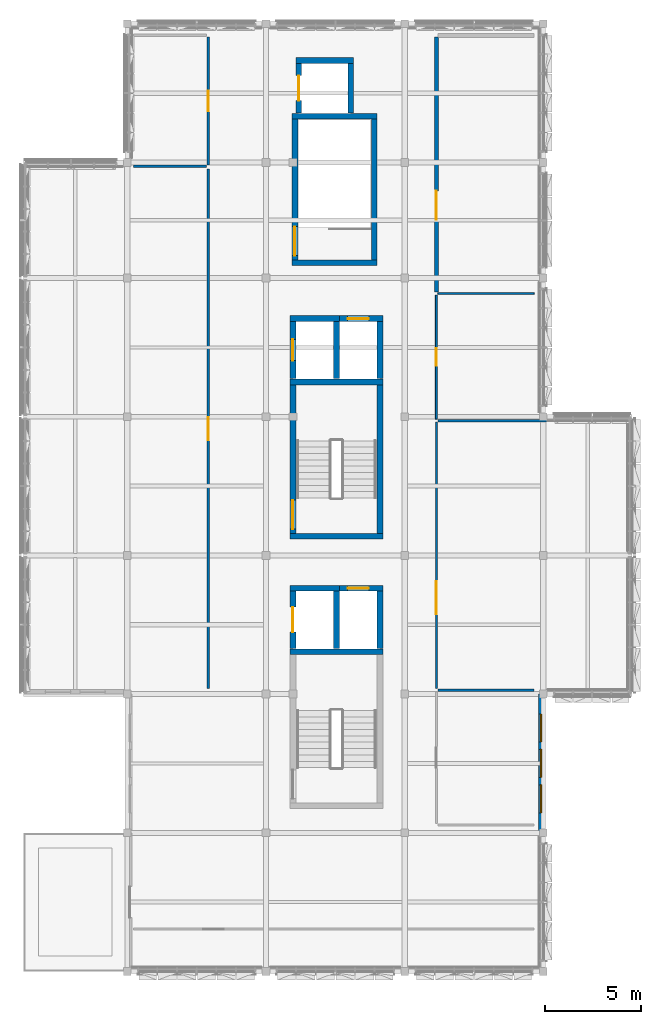
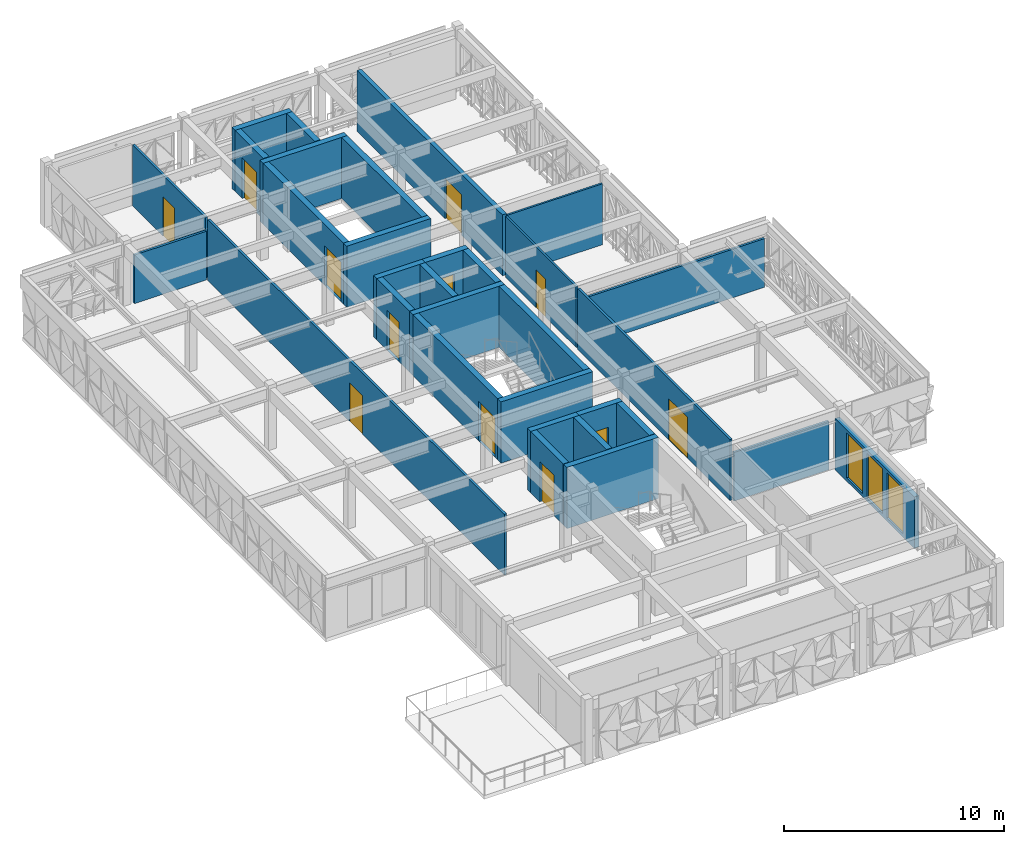
# One storey, part 16 of 25: 32 walls, 12 doors, 3 windows, 15 openings.
"""IFC4 building model written with IfcOpenShell, lengths in metres."""

from ifc_helpers import new_model, si_unit, direction, frame, frame_2d, origin, place, context, subcontext, project, spatial, rectangle, extrude, material, layer, layer_set, type_object, element, fill, save


model = new_model("IFC4")

# Units and contexts
model_context = context("Model", 3, precision=1e-05, world=origin(), true_north=direction((0.0, 1.0)))
body_context = subcontext(model_context, "Body", "Model", "MODEL_VIEW")
ifc_project = project(units=[si_unit("LENGTHUNIT", "METRE"), si_unit("AREAUNIT", "SQUARE_METRE"), si_unit("VOLUMEUNIT", "CUBIC_METRE"), si_unit("PLANEANGLEUNIT", "RADIAN"), si_unit("MASSUNIT", "GRAM", prefix="KILO")], contexts=[model_context])

# Site, building, storey
site_placement = place(None, origin())
site = spatial("IfcSite", under=ifc_project, at=site_placement, CompositionType="ELEMENT")
building_placement = place(site_placement, origin())
building = spatial("IfcBuilding", under=site, at=building_placement, Name="Alvorim Cloister Faculty of Sciences", CompositionType="ELEMENT")
storey_placement = place(building_placement, frame((0.0, 0.0, 29.699951171875)))
storey = spatial("IfcBuildingStorey", under=building, at=storey_placement, Name="L08", CompositionType="ELEMENT", Elevation=29.699951171875)

# Wall, openings, windows
ifc_material_1 = material(Name="Cross-Laminated Timber CLT C24", Category="wood")
ifc_layer_1 = layer(ifc_material_1, 0.239990234375)
ifc_layer_set_1 = layer_set([ifc_layer_1], Name="Cross-Laminated Timber CLT C24")
wall_type_1 = type_object("IfcWallType", Name="WL-EXT-TMB-240", PredefinedType="SOLIDWALL", material=ifc_layer_set_1)
wall_1_placement = place(storey_placement, frame((28.679931640625, 14.39990234375, 0.0), z_axis=(0.0, 0.0, 1.0), x_axis=(0.0, 1.0, 0.0)))
wall_1 = element("IfcWall", 1, at=wall_1_placement, inside=storey, type_object=wall_type_1, Name="L08 Exterior Wall WL-0247", PredefinedType="SOLIDWALL", context=body_context, shape_type="SweptSolid", body=[
    extrude(rectangle(XDim=7.2001953125, YDim=0.239990234375, at=frame_2d((3.60009765625, 0.0))), origin(), (0.0, 0.0, 1.0), 2.85009765625),
])
opening_1_placement = place(wall_1_placement, frame((1.03759765625, 0.0, 0.179931640625)))
opening_1 = element("IfcOpeningElement", 2, at=opening_1_placement, cuts=wall_1, Name="Opening W-17", PredefinedType="OPENING", context=body_context, shape_type="SweptSolid", body=[
    extrude(rectangle(XDim=1.449951171875, YDim=2.5, at=frame_2d((0.72509765625, 1.25))), frame((0.0, 0.1318359375, 0.0), z_axis=(0.0, -1.0, 0.0), x_axis=(1.0, 0.0, 0.0)), (0.0, 0.0, 1.0), 0.263916015625),
])
opening_2_placement = place(wall_1_placement, frame((2.875, 0.0, 0.179931640625)))
opening_2 = element("IfcOpeningElement", 3, at=opening_2_placement, cuts=wall_1, Name="Opening W-17", PredefinedType="OPENING", context=body_context, shape_type="SweptSolid", body=[
    extrude(rectangle(XDim=1.449951171875, YDim=2.5, at=frame_2d((0.72509765625, 1.25))), frame((0.0, 0.1318359375, 0.0), z_axis=(0.0, -1.0, 0.0), x_axis=(1.0, 0.0, 0.0)), (0.0, 0.0, 1.0), 0.263916015625),
])
opening_3_placement = place(wall_1_placement, frame((4.71240234375, 0.0, 0.179931640625)))
opening_3 = element("IfcOpeningElement", 4, at=opening_3_placement, cuts=wall_1, Name="Opening W-17", PredefinedType="OPENING", context=body_context, shape_type="SweptSolid", body=[
    extrude(rectangle(XDim=1.449951171875, YDim=2.5, at=frame_2d((0.72509765625, 1.25))), frame((0.0, 0.1318359375, 0.0), z_axis=(0.0, -1.0, 0.0), x_axis=(1.0, 0.0, 0.0)), (0.0, 0.0, 1.0), 0.263916015625),
])
ifc_material_2 = material(Name="Double Low-E Laminated Glass", Category="glass")
window_type = type_object("IfcWindowType", Name="WN-LAB-1450x2500", PartitioningType="SINGLE_PANEL", PredefinedType="WINDOW", material=ifc_material_2)
window_1_placement = place(opening_1_placement, origin())
window_1 = element("IfcWindow", 5, at=window_1_placement, inside=storey, type_object=window_type, Name="L08 Full-Height Entrance Atrium Glazed Bay WN-0266", OverallHeight=2.5, OverallWidth=1.449951171875, PartitioningType="SINGLE_PANEL", PredefinedType="WINDOW", context=body_context, shape_type="SweptSolid", body=[
    extrude(rectangle(XDim=1.449951171875, YDim=2.5, at=frame_2d((0.72509765625, 1.25))), frame((0.0, 0.030029296875, 0.0), z_axis=(0.0, -1.0, 0.0), x_axis=(1.0, 0.0, 0.0)), (0.0, 0.0, 1.0), 0.06005859375),
])
fill(opening_1, window_1)
window_2_placement = place(opening_2_placement, origin())
window_2 = element("IfcWindow", 6, at=window_2_placement, inside=storey, type_object=window_type, Name="L08 Full-Height Entrance Atrium Glazed Bay WN-0267", OverallHeight=2.5, OverallWidth=1.449951171875, PartitioningType="SINGLE_PANEL", PredefinedType="WINDOW", context=body_context, shape_type="SweptSolid", body=[
    extrude(rectangle(XDim=1.449951171875, YDim=2.5, at=frame_2d((0.72509765625, 1.25))), frame((0.0, 0.030029296875, 0.0), z_axis=(0.0, -1.0, 0.0), x_axis=(1.0, 0.0, 0.0)), (0.0, 0.0, 1.0), 0.06005859375),
])
fill(opening_2, window_2)
window_3_placement = place(opening_3_placement, origin())
window_3 = element("IfcWindow", 7, at=window_3_placement, inside=storey, type_object=window_type, Name="L08 Full-Height Entrance Atrium Glazed Bay WN-0268", OverallHeight=2.5, OverallWidth=1.449951171875, PartitioningType="SINGLE_PANEL", PredefinedType="WINDOW", context=body_context, shape_type="SweptSolid", body=[
    extrude(rectangle(XDim=1.449951171875, YDim=2.5, at=frame_2d((0.72509765625, 1.25))), frame((0.0, 0.030029296875, 0.0), z_axis=(0.0, -1.0, 0.0), x_axis=(1.0, 0.0, 0.0)), (0.0, 0.0, 1.0), 0.06005859375),
])
fill(opening_3, window_3)

# Wall, opening, door
ifc_material_3 = material(Name="Moisture-Resistant Tile Stud Partition", Category="gypsum")
ifc_layer_2 = layer(ifc_material_3, 0.10009765625)
ifc_layer_set_2 = layer_set([ifc_layer_2], Name="Moisture-Resistant Tile Stud Partition")
wall_type_2 = type_object("IfcWallType", Name="WL-PRT-100", PredefinedType="PARTITIONING", material=ifc_layer_set_2)
wall_2_placement = place(storey_placement, frame((23.25, 35.8798828125, 0.0), z_axis=(0.0, 0.0, 1.0), x_axis=(0.0, 1.0, 0.0)))
wall_2 = element("IfcWall", 8, at=wall_2_placement, inside=storey, type_object=wall_type_2, Name="L08 L08 Crown Accessible WCs Partition IWL-0713", PredefinedType="PARTITIONING", context=body_context, shape_type="SweptSolid", body=[
    extrude(rectangle(XDim=6.440185546875, YDim=0.10009765625, at=frame_2d((3.22021484375, 0.0))), origin(), (0.0, 0.0, 1.0), 3.385009765625),
])
opening_4_placement = place(wall_2_placement, frame((2.77001953125, 0.0, 0.0)))
opening_4 = element("IfcOpeningElement", 9, at=opening_4_placement, cuts=wall_2, Name="Opening D-L08-218", PredefinedType="OPENING", context=body_context, shape_type="SweptSolid", body=[
    extrude(rectangle(XDim=0.89990234375, YDim=2.10009765625, at=frame_2d((0.449951171875, 1.050048828125))), frame((0.0, 0.06201171875, 0.0), z_axis=(0.0, -1.0, 0.0), x_axis=(1.0, 0.0, 0.0)), (0.0, 0.0, 1.0), 0.1240234375),
])
ifc_material_4 = material(Name="Moisture-Resistant Laminate Timber", Category="wood")
door_type_1 = type_object("IfcDoorType", Name="DR-WC-900x2100", OperationType="NOTDEFINED", PredefinedType="DOOR", material=ifc_material_4)
door_1_placement = place(opening_4_placement, origin())
door_1 = element("IfcDoor", 10, at=door_1_placement, inside=storey, type_object=door_type_1, Name="L08 Crown Accessible WCs Door D-L08-218", OperationType="SINGLE_SWING_LEFT", OverallHeight=2.10009765625, OverallWidth=0.89990234375, PredefinedType="DOOR", context=body_context, shape_type="SweptSolid", body=[
    extrude(rectangle(XDim=0.89990234375, YDim=2.10009765625, at=frame_2d((0.449951171875, 1.050048828125))), frame((0.0, 0.02490234375, 0.0), z_axis=(0.0, -1.0, 0.0), x_axis=(1.0, 0.0, 0.0)), (0.0, 0.0, 1.0), 0.050048828125),
])
fill(opening_4, door_1)

# Walls
wall_3_placement = place(storey_placement, frame((23.330078125, 42.39990234375, 0.0), z_axis=(0.0, 0.0, 1.0), x_axis=(1.0, 0.0, 0.0)))
element("IfcWall", 11, at=wall_3_placement, inside=storey, type_object=wall_type_2, Name="L08 L08 Crown Accessible WCs Partition IWL-0714", PredefinedType="PARTITIONING", context=body_context, shape_type="SweptSolid", body=[
    extrude(rectangle(XDim=4.989990234375, YDim=0.10009765625, at=frame_2d((2.4951171875, 0.0))), origin(), (0.0, 0.0, 1.0), 3.385009765625),
])
ifc_material_5 = material(Name="Acoustic Gypsum Stud Partition", Category="gypsum")
ifc_layer_3 = layer(ifc_material_5, 0.1201171875)
ifc_layer_set_3 = layer_set([ifc_layer_3], Name="Acoustic Gypsum Stud Partition")
wall_type_3 = type_object("IfcWallType", Name="WL-PRT-120", PredefinedType="PARTITIONING", material=ifc_layer_set_3)
wall_4_placement = place(storey_placement, frame((7.530029296875, 49.0, 0.0), z_axis=(0.0, 0.0, 1.0), x_axis=(1.0, 0.0, 0.0)))
element("IfcWall", 12, at=wall_4_placement, inside=storey, type_object=wall_type_3, Name="L08 Crown Research Directors Suite Partition IWL-0703", PredefinedType="PARTITIONING", context=body_context, shape_type="SweptSolid", body=[
    extrude(rectangle(XDim=3.7900390625, YDim=0.1201171875, at=frame_2d((1.89501953125, 0.0))), origin(), (0.0, 0.0, 1.0), 2.700927734375),
])

# Wall, opening, door
wall_5_placement = place(storey_placement, frame((11.39990234375, 49.080078125, 0.0), z_axis=(0.0, 0.0, 1.0), x_axis=(0.0, 1.0, 0.0)))
wall_5 = element("IfcWall", 13, at=wall_5_placement, inside=storey, type_object=wall_type_3, Name="L08 Crown Research Directors Suite Partition IWL-0704", PredefinedType="PARTITIONING", context=body_context, shape_type="SweptSolid", body=[
    extrude(rectangle(XDim=6.639892578125, YDim=0.1201171875, at=frame_2d((3.31982421875, 0.0))), origin(), (0.0, 0.0, 1.0), 3.385009765625),
])
opening_5_placement = place(wall_5_placement, frame((2.794921875, 0.0, 0.0)))
opening_5 = element("IfcOpeningElement", 14, at=opening_5_placement, cuts=wall_5, Name="Opening D-L08-213", PredefinedType="OPENING", context=body_context, shape_type="SweptSolid", body=[
    extrude(rectangle(XDim=1.050048828125, YDim=2.179931640625, at=frame_2d((0.52490234375, 1.08984375))), frame((0.0, 0.072021484375, 0.0), z_axis=(0.0, -1.0, 0.0), x_axis=(1.0, 0.0, 0.0)), (0.0, 0.0, 1.0), 0.14404296875),
])
ifc_material_6 = material(Name="Solid Acoustic Oak Timber", Category="wood")
door_type_2 = type_object("IfcDoorType", Name="DR-OFF-1050x2180", OperationType="NOTDEFINED", PredefinedType="DOOR", material=ifc_material_6)
door_2_placement = place(opening_5_placement, origin())
door_2 = element("IfcDoor", 15, at=door_2_placement, inside=storey, type_object=door_type_2, Name="Crown Research Directors Suite Door D-L08-213", OperationType="SINGLE_SWING_LEFT", OverallHeight=2.179931640625, OverallWidth=1.050048828125, PredefinedType="DOOR", context=body_context, shape_type="SweptSolid", body=[
    extrude(rectangle(XDim=1.050048828125, YDim=2.179931640625, at=frame_2d((0.52490234375, 1.08984375))), frame((0.0, 0.02490234375, 0.0), z_axis=(0.0, -1.0, 0.0), x_axis=(1.0, 0.0, 0.0)), (0.0, 0.0, 1.0), 0.050048828125),
])
fill(opening_5, door_2)

wall_6_placement = place(storey_placement, frame((11.39990234375, 21.8798828125, 0.0), z_axis=(0.0, 0.0, 1.0), x_axis=(0.0, 1.0, 0.0)))
wall_6 = element("IfcWall", 16, at=wall_6_placement, inside=storey, type_object=wall_type_3, Name="L08 Cantilevered Faculty Senate and Colloquium Hall Partition IWL-0707", PredefinedType="PARTITIONING", context=body_context, shape_type="SweptSolid", body=[
    extrude(rectangle(XDim=26.990234375, YDim=0.1201171875, at=frame_2d((13.4951171875, 0.0))), origin(), (0.0, 0.0, 1.0), 3.385009765625),
])
opening_6_placement = place(wall_6_placement, frame((12.89501953125, 0.0, 0.0)))
opening_6 = element("IfcOpeningElement", 17, at=opening_6_placement, cuts=wall_6, Name="Opening D-L08-215", PredefinedType="OPENING", context=body_context, shape_type="SweptSolid", body=[
    extrude(rectangle(XDim=1.199951171875, YDim=2.14990234375, at=frame_2d((0.60009765625, 1.074951171875))), frame((0.0, 0.072021484375, 0.0), z_axis=(0.0, -1.0, 0.0), x_axis=(1.0, 0.0, 0.0)), (0.0, 0.0, 1.0), 0.14404296875),
])
door_type_3 = type_object("IfcDoorType", Name="DR-SEM-1200x2150", OperationType="NOTDEFINED", PredefinedType="DOOR", material=ifc_material_6)
door_3_placement = place(opening_6_placement, origin())
door_3 = element("IfcDoor", 18, at=door_3_placement, inside=storey, type_object=door_type_3, Name="Cantilevered Faculty Senate and Colloquium Hall Door D-L08-215", OperationType="SINGLE_SWING_LEFT", OverallHeight=2.14990234375, OverallWidth=1.199951171875, PredefinedType="DOOR", context=body_context, shape_type="SweptSolid", body=[
    extrude(rectangle(XDim=1.199951171875, YDim=2.14990234375, at=frame_2d((0.60009765625, 1.074951171875))), frame((0.0, 0.02490234375, 0.0), z_axis=(0.0, -1.0, 0.0), x_axis=(1.0, 0.0, 0.0)), (0.0, 0.0, 1.0), 0.050048828125),
])
fill(opening_6, door_3)

# Wall
wall_7_placement = place(storey_placement, frame((23.330078125, 21.800048828125, 0.0), z_axis=(0.0, 0.0, 1.0), x_axis=(1.0, 0.0, 0.0)))
element("IfcWall", 19, at=wall_7_placement, inside=storey, type_object=wall_type_3, Name="L08 Atrium East Council Chamber Partition IWL-0710", PredefinedType="PARTITIONING", context=body_context, shape_type="SweptSolid", body=[
    extrude(rectangle(XDim=4.989990234375, YDim=0.1201171875, at=frame_2d((2.4951171875, 0.0))), origin(), (0.0, 0.0, 1.0), 2.700927734375),
])

# Wall, opening, door
wall_8_placement = place(storey_placement, frame((23.25, 21.8798828125, 0.0), z_axis=(0.0, 0.0, 1.0), x_axis=(0.0, 1.0, 0.0)))
wall_8 = element("IfcWall", 20, at=wall_8_placement, inside=storey, type_object=wall_type_3, Name="L08 East Cantilevered Visiting Scholars Sky Salon Partition IWL-0711", PredefinedType="PARTITIONING", context=body_context, shape_type="SweptSolid", body=[
    extrude(rectangle(XDim=13.840087890625, YDim=0.1201171875, at=frame_2d((6.919921875, 0.0))), origin(), (0.0, 0.0, 1.0), 3.385009765625),
])
opening_7_placement = place(wall_8_placement, frame((3.876220703125, 0.0, 0.0)))
opening_7 = element("IfcOpeningElement", 21, at=opening_7_placement, cuts=wall_8, Name="Opening D-L08-217", PredefinedType="OPENING", context=body_context, shape_type="SweptSolid", body=[
    extrude(rectangle(XDim=1.699951171875, YDim=2.280029296875, at=frame_2d((0.85009765625, 1.14013671875))), frame((0.0, 0.072021484375, 0.0), z_axis=(0.0, -1.0, 0.0), x_axis=(1.0, 0.0, 0.0)), (0.0, 0.0, 1.0), 0.14404296875),
])
door_type_4 = type_object("IfcDoorType", Name="DR-HALL-1700x2280", OperationType="NOTDEFINED", PredefinedType="DOOR", material=ifc_material_6)
door_4_placement = place(opening_7_placement, origin())
door_4 = element("IfcDoor", 22, at=door_4_placement, inside=storey, type_object=door_type_4, Name="East Cantilevered Visiting Scholars Sky Salon Door D-L08-217", OperationType="DOUBLE_DOOR_SINGLE_SWING", OverallHeight=2.280029296875, OverallWidth=1.699951171875, PredefinedType="DOOR", context=body_context, shape_type="SweptSolid", body=[
    extrude(rectangle(XDim=1.699951171875, YDim=2.280029296875, at=frame_2d((0.85009765625, 1.14013671875))), frame((0.0, 0.02490234375, 0.0), z_axis=(0.0, -1.0, 0.0), x_axis=(1.0, 0.0, 0.0)), (0.0, 0.0, 1.0), 0.050048828125),
])
fill(opening_7, door_4)

# Wall
wall_9_placement = place(storey_placement, frame((23.330078125, 35.800048828125, 0.0), z_axis=(0.0, 0.0, 1.0), x_axis=(1.0, 0.0, 0.0)))
element("IfcWall", 23, at=wall_9_placement, inside=storey, type_object=wall_type_3, Name="L08 East Cantilevered Visiting Scholars Sky Salon Partition IWL-0712", PredefinedType="PARTITIONING", context=body_context, shape_type="SweptSolid", body=[
    extrude(rectangle(XDim=9.68994140625, YDim=0.1201171875, at=frame_2d((4.844970703125, 0.0))), origin(), (0.0, 0.0, 1.0), 2.700927734375),
])

# Wall, opening, door
ifc_material_7 = material(Name="Autoclaved Aerated Concrete Blockwork", Category="masonry")
ifc_layer_4 = layer(ifc_material_7, 0.219970703125)
ifc_layer_set_4 = layer_set([ifc_layer_4], Name="Autoclaved Aerated Concrete Blockwork")
wall_type_4 = type_object("IfcWallType", Name="WL-PRT-220", PredefinedType="PARTITIONING", material=ifc_layer_set_4)
wall_10_placement = place(storey_placement, frame((23.25, 42.47998046875, 0.0), z_axis=(0.0, 0.0, 1.0), x_axis=(0.0, 1.0, 0.0)))
wall_10 = element("IfcWall", 24, at=wall_10_placement, inside=storey, type_object=wall_type_4, Name="L08 Crown Heat-Recovery and Solar Inverter Room Partition IWL-0715", PredefinedType="PARTITIONING", context=body_context, shape_type="SweptSolid", body=[
    extrude(rectangle(XDim=13.239990234375, YDim=0.219970703125, at=frame_2d((6.6201171875, 0.0))), origin(), (0.0, 0.0, 1.0), 3.385009765625),
])
opening_8_placement = place(wall_10_placement, frame((3.751220703125, 0.0, 0.0)))
opening_8 = element("IfcOpeningElement", 25, at=opening_8_placement, cuts=wall_10, Name="Opening D-L08-219", PredefinedType="OPENING", context=body_context, shape_type="SweptSolid", body=[
    extrude(rectangle(XDim=1.5, YDim=2.25, at=frame_2d((0.75, 1.125))), frame((0.0, 0.1220703125, 0.0), z_axis=(0.0, -1.0, 0.0), x_axis=(1.0, 0.0, 0.0)), (0.0, 0.0, 1.0), 0.243896484375),
])
ifc_material_8 = material(Name="Galvanised Fire-Rated Steel", Category="steel")
door_type_5 = type_object("IfcDoorType", Name="DR-PLN-1500x2250", OperationType="NOTDEFINED", PredefinedType="DOOR", material=ifc_material_8)
door_5_placement = place(opening_8_placement, origin())
door_5 = element("IfcDoor", 26, at=door_5_placement, inside=storey, type_object=door_type_5, Name="Crown Heat-Recovery and Solar Inverter Room Door D-L08-219", OperationType="DOUBLE_DOOR_SINGLE_SWING", OverallHeight=2.25, OverallWidth=1.5, PredefinedType="DOOR", context=body_context, shape_type="SweptSolid", body=[
    extrude(rectangle(XDim=1.5, YDim=2.25, at=frame_2d((0.75, 1.125))), frame((0.0, 0.02490234375, 0.0), z_axis=(0.0, -1.0, 0.0), x_axis=(1.0, 0.0, 0.0)), (0.0, 0.0, 1.0), 0.050048828125),
])
fill(opening_8, door_5)

# Walls
ifc_material_9 = material(Name="Concrete C40", Category="concrete")
ifc_layer_5 = layer(ifc_material_9, 0.300048828125)
ifc_layer_set_5 = layer_set([ifc_layer_5], Name="Concrete C40")
wall_type_5 = type_object("IfcWallType", Name="WL-SHR-300", PredefinedType="SHEAR", material=ifc_layer_set_5)
for number, where, z_axis, x_axis, name in (
    (27, (15.64990234375, 23.800048828125, 0.0), (0.0, 0.0, 1.0), (1.0, 0.0, 0.0), "L08 CORE K1 Shear Wall IWL-0038"),
    (28, (15.64990234375, 29.800048828125, 0.0), (0.0, 0.0, 1.0), (1.0, 0.0, 0.0), "L08 CORE K2 Shear Wall IWL-0081"),
    (29, (15.64990234375, 37.800048828125, 0.0), (0.0, 0.0, 1.0), (1.0, 0.0, 0.0), "L08 CORE K2 Shear Wall IWL-0082"),
):
    element("IfcWall", number, at=place(storey_placement, frame(where, z_axis=z_axis, x_axis=x_axis)), inside=storey, type_object=wall_type_5, Name=name, PredefinedType="SHEAR", context=body_context, shape_type="SweptSolid", body=[
        extrude(rectangle(XDim=4.820068359375, YDim=0.300048828125, at=frame_2d((2.41015625, 0.0))), origin(), (0.0, 0.0, 1.0), 3.400146484375),
    ])

# Wall, opening, door
wall_11_placement = place(storey_placement, frame((15.800048828125, 29.949951171875, 0.0), z_axis=(0.0, 0.0, 1.0), x_axis=(0.0, 1.0, 0.0)))
wall_11 = element("IfcWall", 30, at=wall_11_placement, inside=storey, type_object=wall_type_5, Name="L08 CORE K2 Shear Wall IWL-0083", PredefinedType="SHEAR", context=body_context, shape_type="SweptSolid", body=[
    extrude(rectangle(XDim=7.699951171875, YDim=0.300048828125, at=frame_2d((3.85009765625, 0.0))), origin(), (0.0, 0.0, 1.0), 3.400146484375),
])
opening_9_placement = place(wall_11_placement, frame((0.219970703125, 0.0, 0.0)))
opening_9 = element("IfcOpeningElement", 31, at=opening_9_placement, cuts=wall_11, Name="Opening SD-K2-L08", PredefinedType="OPENING", context=body_context, shape_type="SweptSolid", body=[
    extrude(rectangle(XDim=1.5, YDim=2.199951171875, at=frame_2d((0.75, 1.10009765625))), frame((0.0, 0.162109375, 0.0), z_axis=(0.0, -1.0, 0.0), x_axis=(1.0, 0.0, 0.0)), (0.0, 0.0, 1.0), 0.323974609375),
])
door_type_6 = type_object("IfcDoorType", Name="DR-STR-1500x2200", OperationType="NOTDEFINED", PredefinedType="DOOR", material=ifc_material_8)
door_6_placement = place(opening_9_placement, origin())
door_6 = element("IfcDoor", 32, at=door_6_placement, inside=storey, type_object=door_type_6, Name="L08 Stair ST-02 Fire Door SD-K2-L08", OperationType="DOUBLE_DOOR_SINGLE_SWING", OverallHeight=2.199951171875, OverallWidth=1.5, PredefinedType="DOOR", context=body_context, shape_type="SweptSolid", body=[
    extrude(rectangle(XDim=1.5, YDim=2.199951171875, at=frame_2d((0.75, 1.10009765625))), frame((0.0, 0.02490234375, 0.0), z_axis=(0.0, -1.0, 0.0), x_axis=(1.0, 0.0, 0.0)), (0.0, 0.0, 1.0), 0.050048828125),
])
fill(opening_9, door_6)

# Walls
wall_12_placement = place(storey_placement, frame((20.320068359375, 29.949951171875, 0.0), z_axis=(0.0, 0.0, 1.0), x_axis=(0.0, 1.0, 0.0)))
element("IfcWall", 33, at=wall_12_placement, inside=storey, type_object=wall_type_5, Name="L08 CORE K2 Shear Wall IWL-0084", PredefinedType="SHEAR", context=body_context, shape_type="SweptSolid", body=[
    extrude(rectangle(XDim=7.699951171875, YDim=0.300048828125, at=frame_2d((3.85009765625, 0.0))), origin(), (0.0, 0.0, 1.0), 3.400146484375),
])
for number, where, z_axis, x_axis, name in (
    (34, (15.75, 44.0, 0.0), (0.0, 0.0, 1.0), (1.0, 0.0, 0.0), "L08 CORE K3 Shear Wall IWL-0125"),
    (35, (15.75, 51.60009765625, 0.0), (0.0, 0.0, 1.0), (1.0, 0.0, 0.0), "L08 CORE K3 Shear Wall IWL-0126"),
):
    element("IfcWall", number, at=place(storey_placement, frame(where, z_axis=z_axis, x_axis=x_axis)), inside=storey, type_object=wall_type_5, Name=name, PredefinedType="SHEAR", context=body_context, shape_type="SweptSolid", body=[
        extrude(rectangle(XDim=4.419921875, YDim=0.300048828125, at=frame_2d((2.2099609375, 0.0))), origin(), (0.0, 0.0, 1.0), 3.400146484375),
    ])

# Wall, opening, door
wall_13_placement = place(storey_placement, frame((15.89990234375, 44.14990234375, 0.0), z_axis=(0.0, 0.0, 1.0), x_axis=(0.0, 1.0, 0.0)))
wall_13 = element("IfcWall", 36, at=wall_13_placement, inside=storey, type_object=wall_type_5, Name="L08 CORE K3 Shear Wall IWL-0127", PredefinedType="SHEAR", context=body_context, shape_type="SweptSolid", body=[
    extrude(rectangle(XDim=7.300048828125, YDim=0.300048828125, at=frame_2d((3.64990234375, 0.0))), origin(), (0.0, 0.0, 1.0), 3.400146484375),
])
opening_10_placement = place(wall_13_placement, frame((0.219970703125, 0.0, 0.0)))
opening_10 = element("IfcOpeningElement", 37, at=opening_10_placement, cuts=wall_13, Name="Opening SD-K3-L08", PredefinedType="OPENING", context=body_context, shape_type="SweptSolid", body=[
    extrude(rectangle(XDim=1.5, YDim=2.199951171875, at=frame_2d((0.75, 1.10009765625))), frame((0.0, 0.162109375, 0.0), z_axis=(0.0, -1.0, 0.0), x_axis=(1.0, 0.0, 0.0)), (0.0, 0.0, 1.0), 0.323974609375),
])
door_7_placement = place(opening_10_placement, origin())
door_7 = element("IfcDoor", 38, at=door_7_placement, inside=storey, type_object=door_type_6, Name="L08 Stair ST-03 Fire Door SD-K3-L08", OperationType="DOUBLE_DOOR_SINGLE_SWING", OverallHeight=2.199951171875, OverallWidth=1.5, PredefinedType="DOOR", context=body_context, shape_type="SweptSolid", body=[
    extrude(rectangle(XDim=1.5, YDim=2.199951171875, at=frame_2d((0.75, 1.10009765625))), frame((0.0, 0.02490234375, 0.0), z_axis=(0.0, -1.0, 0.0), x_axis=(1.0, 0.0, 0.0)), (0.0, 0.0, 1.0), 0.050048828125),
])
fill(opening_10, door_7)

# Walls
wall_14_placement = place(storey_placement, frame((20.02001953125, 44.14990234375, 0.0), z_axis=(0.0, 0.0, 1.0), x_axis=(0.0, 1.0, 0.0)))
element("IfcWall", 39, at=wall_14_placement, inside=storey, type_object=wall_type_5, Name="L08 CORE K3 Shear Wall IWL-0128", PredefinedType="SHEAR", context=body_context, shape_type="SweptSolid", body=[
    extrude(rectangle(XDim=7.300048828125, YDim=0.300048828125, at=frame_2d((3.64990234375, 0.0))), origin(), (0.0, 0.0, 1.0), 3.400146484375),
])
wall_15_placement = place(storey_placement, frame((15.64990234375, 27.10009765625, 0.0), z_axis=(0.0, 0.0, 1.0), x_axis=(1.0, 0.0, 0.0)))
element("IfcWall", 40, at=wall_15_placement, inside=storey, type_object=wall_type_5, Name="L08 Lift LF-01 Shaft Wall IWL-0260", PredefinedType="SHEAR", context=body_context, shape_type="SweptSolid", body=[
    extrude(rectangle(XDim=2.56005859375, YDim=0.300048828125, at=frame_2d((1.280029296875, 0.0))), origin(), (0.0, 0.0, 1.0), 3.400146484375),
])

# Wall, opening, door
wall_16_placement = place(storey_placement, frame((15.800048828125, 23.97998046875, 0.0), z_axis=(0.0, 0.0, 1.0), x_axis=(0.0, 1.0, 0.0)))
wall_16 = element("IfcWall", 41, at=wall_16_placement, inside=storey, type_object=wall_type_5, Name="L08 Lift LF-01 Shaft Wall IWL-0261", PredefinedType="SHEAR", context=body_context, shape_type="SweptSolid", body=[
    extrude(rectangle(XDim=2.969970703125, YDim=0.300048828125, at=frame_2d((1.48486328125, 0.0))), origin(), (0.0, 0.0, 1.0), 3.400146484375),
])
opening_11_placement = place(wall_16_placement, frame((0.8349609375, 0.0, 0.0)))
opening_11 = element("IfcOpeningElement", 42, at=opening_11_placement, cuts=wall_16, Name="Opening LD-010", PredefinedType="OPENING", context=body_context, shape_type="SweptSolid", body=[
    extrude(rectangle(XDim=1.300048828125, YDim=2.25, at=frame_2d((0.64990234375, 1.125))), frame((0.0, 0.162109375, 0.0), z_axis=(0.0, -1.0, 0.0), x_axis=(1.0, 0.0, 0.0)), (0.0, 0.0, 1.0), 0.323974609375),
])
ifc_material_10 = material(Name="Brushed Stainless Steel", Category="steel")
door_type_7 = type_object("IfcDoorType", Name="DR-LFT-1300x2250", OperationType="NOTDEFINED", PredefinedType="DOOR", material=ifc_material_10)
door_8_placement = place(opening_11_placement, origin())
door_8 = element("IfcDoor", 43, at=door_8_placement, inside=storey, type_object=door_type_7, Name="L08 Lift LF-01 Sliding Landing Door LD-010", OperationType="DOUBLE_DOOR_SLIDING", OverallHeight=2.25, OverallWidth=1.300048828125, PredefinedType="DOOR", context=body_context, shape_type="SweptSolid", body=[
    extrude(rectangle(XDim=1.300048828125, YDim=2.25, at=frame_2d((0.64990234375, 1.125))), frame((0.0, 0.02490234375, 0.0), z_axis=(0.0, -1.0, 0.0), x_axis=(1.0, 0.0, 0.0)), (0.0, 0.0, 1.0), 0.050048828125),
])
fill(opening_11, door_8)

# Wall
wall_17_placement = place(storey_placement, frame((18.06005859375, 23.97998046875, 0.0), z_axis=(0.0, 0.0, 1.0), x_axis=(0.0, 1.0, 0.0)))
element("IfcWall", 44, at=wall_17_placement, inside=storey, type_object=wall_type_5, Name="L08 Lift LF-01 Shaft Wall IWL-0262", PredefinedType="SHEAR", context=body_context, shape_type="SweptSolid", body=[
    extrude(rectangle(XDim=2.969970703125, YDim=0.300048828125, at=frame_2d((1.48486328125, 0.0))), origin(), (0.0, 0.0, 1.0), 3.400146484375),
])

# Wall, opening, door
wall_18_placement = place(storey_placement, frame((17.909912109375, 27.10009765625, 0.0), z_axis=(0.0, 0.0, 1.0), x_axis=(1.0, 0.0, 0.0)))
wall_18 = element("IfcWall", 45, at=wall_18_placement, inside=storey, type_object=wall_type_5, Name="L08 Lift LP-01 Shaft Wall IWL-0284", PredefinedType="SHEAR", context=body_context, shape_type="SweptSolid", body=[
    extrude(rectangle(XDim=2.56005859375, YDim=0.300048828125, at=frame_2d((1.280029296875, 0.0))), origin(), (0.0, 0.0, 1.0), 3.400146484375),
])
opening_12_placement = place(wall_18_placement, frame((0.72998046875, 0.0, 0.0)))
opening_12 = element("IfcOpeningElement", 46, at=opening_12_placement, cuts=wall_18, Name="Opening LD-021", PredefinedType="OPENING", context=body_context, shape_type="SweptSolid", body=[
    extrude(rectangle(XDim=1.10009765625, YDim=2.199951171875, at=frame_2d((0.550048828125, 1.10009765625))), frame((0.0, 0.162109375, 0.0), z_axis=(0.0, -1.0, 0.0), x_axis=(1.0, 0.0, 0.0)), (0.0, 0.0, 1.0), 0.323974609375),
])
door_type_8 = type_object("IfcDoorType", Name="DR-LFT-1100x2200", OperationType="NOTDEFINED", PredefinedType="DOOR", material=ifc_material_10)
door_9_placement = place(opening_12_placement, origin())
door_9 = element("IfcDoor", 47, at=door_9_placement, inside=storey, type_object=door_type_8, Name="L08 Lift LP-01 Sliding Landing Door LD-021", OperationType="DOUBLE_DOOR_SLIDING", OverallHeight=2.199951171875, OverallWidth=1.10009765625, PredefinedType="DOOR", context=body_context, shape_type="SweptSolid", body=[
    extrude(rectangle(XDim=1.10009765625, YDim=2.199951171875, at=frame_2d((0.550048828125, 1.10009765625))), frame((0.0, 0.02490234375, 0.0), z_axis=(0.0, -1.0, 0.0), x_axis=(1.0, 0.0, 0.0)), (0.0, 0.0, 1.0), 0.050048828125),
])
fill(opening_12, door_9)

# Walls
wall_19_placement = place(storey_placement, frame((20.320068359375, 23.97998046875, 0.0), z_axis=(0.0, 0.0, 1.0), x_axis=(0.0, 1.0, 0.0)))
element("IfcWall", 48, at=wall_19_placement, inside=storey, type_object=wall_type_5, Name="L08 Lift LP-01 Shaft Wall IWL-0285", PredefinedType="SHEAR", context=body_context, shape_type="SweptSolid", body=[
    extrude(rectangle(XDim=2.969970703125, YDim=0.300048828125, at=frame_2d((1.48486328125, 0.0))), origin(), (0.0, 0.0, 1.0), 3.400146484375),
])
wall_20_placement = place(storey_placement, frame((15.64990234375, 41.10009765625, 0.0), z_axis=(0.0, 0.0, 1.0), x_axis=(1.0, 0.0, 0.0)))
element("IfcWall", 49, at=wall_20_placement, inside=storey, type_object=wall_type_5, Name="L08 Lift LP-02 Shaft Wall IWL-0315", PredefinedType="SHEAR", context=body_context, shape_type="SweptSolid", body=[
    extrude(rectangle(XDim=2.56005859375, YDim=0.300048828125, at=frame_2d((1.280029296875, 0.0))), origin(), (0.0, 0.0, 1.0), 3.400146484375),
])

# Wall, opening, door
wall_21_placement = place(storey_placement, frame((15.800048828125, 37.97998046875, 0.0), z_axis=(0.0, 0.0, 1.0), x_axis=(0.0, 1.0, 0.0)))
wall_21 = element("IfcWall", 50, at=wall_21_placement, inside=storey, type_object=wall_type_5, Name="L08 Lift LP-02 Shaft Wall IWL-0316", PredefinedType="SHEAR", context=body_context, shape_type="SweptSolid", body=[
    extrude(rectangle(XDim=2.969970703125, YDim=0.300048828125, at=frame_2d((1.48486328125, 0.0))), origin(), (0.0, 0.0, 1.0), 3.400146484375),
])
opening_13_placement = place(wall_21_placement, frame((0.93505859375, 0.0, 0.0)))
opening_13 = element("IfcOpeningElement", 51, at=opening_13_placement, cuts=wall_21, Name="Opening LD-032", PredefinedType="OPENING", context=body_context, shape_type="SweptSolid", body=[
    extrude(rectangle(XDim=1.10009765625, YDim=2.199951171875, at=frame_2d((0.550048828125, 1.10009765625))), frame((0.0, 0.162109375, 0.0), z_axis=(0.0, -1.0, 0.0), x_axis=(1.0, 0.0, 0.0)), (0.0, 0.0, 1.0), 0.323974609375),
])
door_10_placement = place(opening_13_placement, origin())
door_10 = element("IfcDoor", 52, at=door_10_placement, inside=storey, type_object=door_type_8, Name="L08 Lift LP-02 Sliding Landing Door LD-032", OperationType="DOUBLE_DOOR_SLIDING", OverallHeight=2.199951171875, OverallWidth=1.10009765625, PredefinedType="DOOR", context=body_context, shape_type="SweptSolid", body=[
    extrude(rectangle(XDim=1.10009765625, YDim=2.199951171875, at=frame_2d((0.550048828125, 1.10009765625))), frame((0.0, 0.02490234375, 0.0), z_axis=(0.0, -1.0, 0.0), x_axis=(1.0, 0.0, 0.0)), (0.0, 0.0, 1.0), 0.050048828125),
])
fill(opening_13, door_10)

# Wall
wall_22_placement = place(storey_placement, frame((18.06005859375, 37.97998046875, 0.0), z_axis=(0.0, 0.0, 1.0), x_axis=(0.0, 1.0, 0.0)))
element("IfcWall", 53, at=wall_22_placement, inside=storey, type_object=wall_type_5, Name="L08 Lift LP-02 Shaft Wall IWL-0317", PredefinedType="SHEAR", context=body_context, shape_type="SweptSolid", body=[
    extrude(rectangle(XDim=2.969970703125, YDim=0.300048828125, at=frame_2d((1.48486328125, 0.0))), origin(), (0.0, 0.0, 1.0), 3.400146484375),
])

# Wall, opening, door
wall_23_placement = place(storey_placement, frame((17.909912109375, 41.10009765625, 0.0), z_axis=(0.0, 0.0, 1.0), x_axis=(1.0, 0.0, 0.0)))
wall_23 = element("IfcWall", 54, at=wall_23_placement, inside=storey, type_object=wall_type_5, Name="L08 Lift LP-03 Shaft Wall IWL-0336", PredefinedType="SHEAR", context=body_context, shape_type="SweptSolid", body=[
    extrude(rectangle(XDim=2.56005859375, YDim=0.300048828125, at=frame_2d((1.280029296875, 0.0))), origin(), (0.0, 0.0, 1.0), 3.400146484375),
])
opening_14_placement = place(wall_23_placement, frame((0.72998046875, 0.0, 0.0)))
opening_14 = element("IfcOpeningElement", 55, at=opening_14_placement, cuts=wall_23, Name="Opening LD-042", PredefinedType="OPENING", context=body_context, shape_type="SweptSolid", body=[
    extrude(rectangle(XDim=1.10009765625, YDim=2.199951171875, at=frame_2d((0.550048828125, 1.10009765625))), frame((0.0, 0.162109375, 0.0), z_axis=(0.0, -1.0, 0.0), x_axis=(1.0, 0.0, 0.0)), (0.0, 0.0, 1.0), 0.323974609375),
])
door_11_placement = place(opening_14_placement, origin())
door_11 = element("IfcDoor", 56, at=door_11_placement, inside=storey, type_object=door_type_8, Name="L08 Lift LP-03 Sliding Landing Door LD-042", OperationType="DOUBLE_DOOR_SLIDING", OverallHeight=2.199951171875, OverallWidth=1.10009765625, PredefinedType="DOOR", context=body_context, shape_type="SweptSolid", body=[
    extrude(rectangle(XDim=1.10009765625, YDim=2.199951171875, at=frame_2d((0.550048828125, 1.10009765625))), frame((0.0, 0.02490234375, 0.0), z_axis=(0.0, -1.0, 0.0), x_axis=(1.0, 0.0, 0.0)), (0.0, 0.0, 1.0), 0.050048828125),
])
fill(opening_14, door_11)

# Walls
wall_24_placement = place(storey_placement, frame((20.320068359375, 37.97998046875, 0.0), z_axis=(0.0, 0.0, 1.0), x_axis=(0.0, 1.0, 0.0)))
element("IfcWall", 57, at=wall_24_placement, inside=storey, type_object=wall_type_5, Name="L08 Lift LP-03 Shaft Wall IWL-0337", PredefinedType="SHEAR", context=body_context, shape_type="SweptSolid", body=[
    extrude(rectangle(XDim=2.969970703125, YDim=0.300048828125, at=frame_2d((1.48486328125, 0.0))), origin(), (0.0, 0.0, 1.0), 3.400146484375),
])
wall_25_placement = place(storey_placement, frame((15.949951171875, 54.5, 0.0), z_axis=(0.0, 0.0, 1.0), x_axis=(1.0, 0.0, 0.0)))
element("IfcWall", 58, at=wall_25_placement, inside=storey, type_object=wall_type_5, Name="L08 Lift LG-01 Shaft Wall IWL-0407", PredefinedType="SHEAR", context=body_context, shape_type="SweptSolid", body=[
    extrude(rectangle(XDim=3.0, YDim=0.300048828125, at=frame_2d((1.5, 0.0))), origin(), (0.0, 0.0, 1.0), 3.400146484375),
])

# Wall, opening, door
wall_26_placement = place(storey_placement, frame((16.10009765625, 51.780029296875, 0.0), z_axis=(0.0, 0.0, 1.0), x_axis=(0.0, 1.0, 0.0)))
wall_26 = element("IfcWall", 59, at=wall_26_placement, inside=storey, type_object=wall_type_5, Name="L08 Lift LG-01 Shaft Wall IWL-0408", PredefinedType="SHEAR", context=body_context, shape_type="SweptSolid", body=[
    extrude(rectangle(XDim=2.570068359375, YDim=0.300048828125, at=frame_2d((1.28515625, 0.0))), origin(), (0.0, 0.0, 1.0), 3.400146484375),
])
opening_15_placement = place(wall_26_placement, frame((0.635009765625, 0.0, 0.0)))
opening_15 = element("IfcOpeningElement", 60, at=opening_15_placement, cuts=wall_26, Name="Opening LD-066", PredefinedType="OPENING", context=body_context, shape_type="SweptSolid", body=[
    extrude(rectangle(XDim=1.300048828125, YDim=2.25, at=frame_2d((0.64990234375, 1.125))), frame((0.0, 0.162109375, 0.0), z_axis=(0.0, -1.0, 0.0), x_axis=(1.0, 0.0, 0.0)), (0.0, 0.0, 1.0), 0.323974609375),
])
door_12_placement = place(opening_15_placement, origin())
door_12 = element("IfcDoor", 61, at=door_12_placement, inside=storey, type_object=door_type_7, Name="L08 Lift LG-01 Sliding Landing Door LD-066", OperationType="DOUBLE_DOOR_SLIDING", OverallHeight=2.25, OverallWidth=1.300048828125, PredefinedType="DOOR", context=body_context, shape_type="SweptSolid", body=[
    extrude(rectangle(XDim=1.300048828125, YDim=2.25, at=frame_2d((0.64990234375, 1.125))), frame((0.0, 0.02490234375, 0.0), z_axis=(0.0, -1.0, 0.0), x_axis=(1.0, 0.0, 0.0)), (0.0, 0.0, 1.0), 0.050048828125),
])
fill(opening_15, door_12)

# Wall
wall_27_placement = place(storey_placement, frame((18.800048828125, 51.780029296875, 0.0), z_axis=(0.0, 0.0, 1.0), x_axis=(0.0, 1.0, 0.0)))
element("IfcWall", 62, at=wall_27_placement, inside=storey, type_object=wall_type_5, Name="L08 Lift LG-01 Shaft Wall IWL-0409", PredefinedType="SHEAR", context=body_context, shape_type="SweptSolid", body=[
    extrude(rectangle(XDim=2.570068359375, YDim=0.300048828125, at=frame_2d((1.28515625, 0.0))), origin(), (0.0, 0.0, 1.0), 3.400146484375),
])

save(model, "model.ifc")
